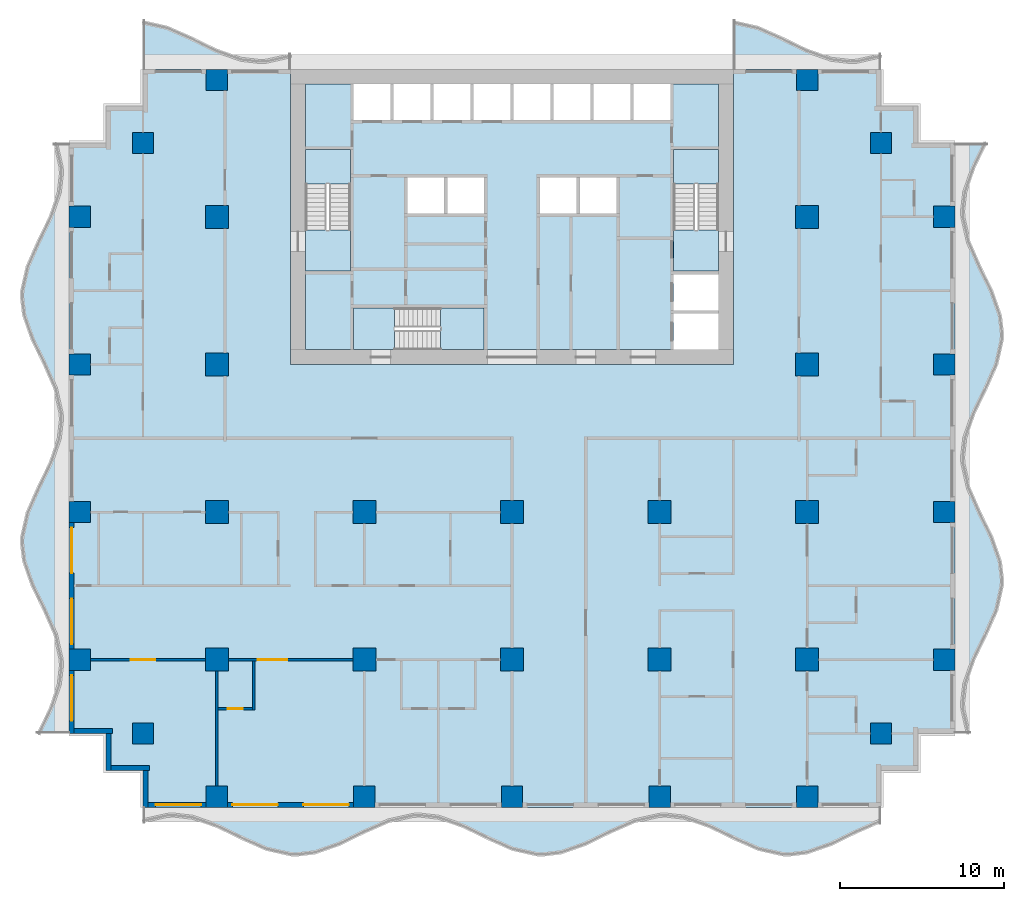
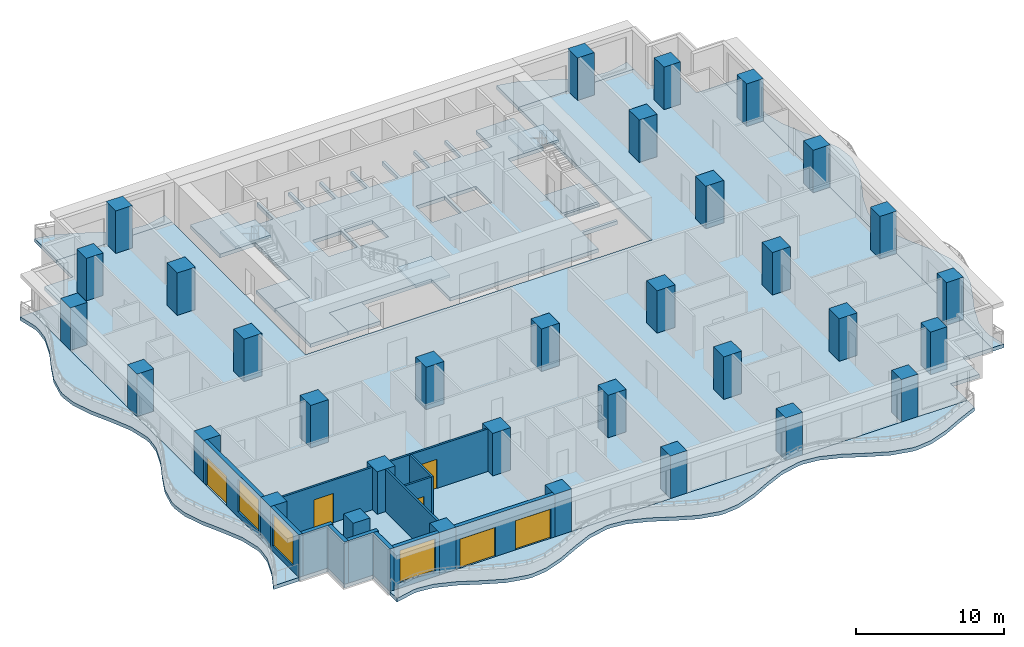
# One storey, part 1 of 13: 33 columns, 13 slabs, 13 walls, 6 doors, 3 windows, 9 openings, 3 elements without a shape of their own.
"""IFC4 building model written with IfcOpenShell, lengths in metres."""

from ifc_helpers import new_model, si_unit, direction, frame, frame_2d, origin, origin_2d, place, context, subcontext, project, spatial, polyline, rectangle, outline, extrude, material, layer, layer_set, material_profile, profile_set, type_object, element, fill, aggregate, save


model = new_model("IFC4")

# Units and contexts
model_context = context("Model", 3, precision=1e-05, world=origin(), true_north=direction((0.0, 1.0)))
body_context = subcontext(model_context, "Body", "Model", "MODEL_VIEW")
ifc_project = project(units=[si_unit("LENGTHUNIT", "METRE"), si_unit("AREAUNIT", "SQUARE_METRE"), si_unit("VOLUMEUNIT", "CUBIC_METRE"), si_unit("PLANEANGLEUNIT", "RADIAN"), si_unit("MASSUNIT", "GRAM", prefix="KILO")], contexts=[model_context])

# Site, building, storey
site_placement = place(None, origin())
site = spatial("IfcSite", under=ifc_project, at=site_placement, CompositionType="ELEMENT")
building_placement = place(site_placement, origin())
building = spatial("IfcBuilding", under=site, at=building_placement, Name="Orbiselva Terraces", CompositionType="ELEMENT")
storey_placement = place(building_placement, frame((0.0, 0.0, 96.0)))
storey = spatial("IfcBuildingStorey", under=building, at=storey_placement, Name="L24", CompositionType="ELEMENT", Elevation=96.0)

# Columns
ifc_material_1 = material(Name="Concrete C70/85", Category="concrete")
ifc_material_profile_1 = material_profile(ifc_material_1, rectangle(XDim=1.4, YDim=1.4, at=origin_2d()), Name="RC 1400x1400")
ifc_profile_set_1 = profile_set([ifc_material_profile_1], Name="Concrete C70/85")
column_type_1 = type_object("IfcColumnType", Name="COLUMN RC 1400x1400", PredefinedType="COLUMN", material=ifc_profile_set_1)
for number, where, z_axis, x_axis, name in (
    (1, (-18.0, -13.5, 0.0), (0.0, 0.0, 1.0), (1.0, 0.0, 0.0), "Column L24-01"),
    (2, (-18.0, -4.5, 0.0), (0.0, 0.0, 1.0), (1.0, 0.0, 0.0), "Column L24-03"),
    (3, (-18.0, 13.5, 0.0), (0.0, 0.0, 1.0), (1.0, 0.0, 0.0), "Column L24-04"),
    (4, (-18.0, 4.5, 0.0), (0.0, 0.0, 1.0), (1.0, 0.0, 0.0), "Column L24-06"),
    (5, (-9.0, -13.5, 0.0), (0.0, 0.0, 1.0), (1.0, 0.0, 0.0), "Column L24-13"),
    (6, (-9.0, -4.5, 0.0), (0.0, 0.0, 1.0), (1.0, 0.0, 0.0), "Column L24-15"),
    (7, (0.0, -13.5, 0.0), (0.0, 0.0, 1.0), (1.0, 0.0, 0.0), "Column L24-16"),
    (8, (0.0, -4.5, 0.0), (0.0, 0.0, 1.0), (1.0, 0.0, 0.0), "Column L24-18"),
    (9, (18.0, -13.5, 0.0), (0.0, 0.0, 1.0), (1.0, 0.0, 0.0), "Column L24-19"),
    (10, (18.0, -4.5, 0.0), (0.0, 0.0, 1.0), (1.0, 0.0, 0.0), "Column L24-21"),
    (11, (18.0, 13.5, 0.0), (0.0, 0.0, 1.0), (1.0, 0.0, 0.0), "Column L24-22"),
    (12, (18.0, 4.5, 0.0), (0.0, 0.0, 1.0), (1.0, 0.0, 0.0), "Column L24-24"),
    (13, (9.0, -13.5, 0.0), (0.0, 0.0, 1.0), (1.0, 0.0, 0.0), "Column L24-31"),
    (14, (9.0, -4.5, 0.0), (0.0, 0.0, 1.0), (1.0, 0.0, 0.0), "Column L24-33"),
):
    element("IfcColumn", number, at=place(storey_placement, frame(where, z_axis=z_axis, x_axis=x_axis)), inside=storey, type_object=column_type_1, Name=name, PredefinedType="COLUMN", context=body_context, shape_type="SweptSolid", body=[
        extrude(rectangle(XDim=1.4, YDim=1.4, at=origin_2d()), origin(), (0.0, 0.0, 1.0), 3.5),
    ])
ifc_material_profile_2 = material_profile(ifc_material_1, rectangle(XDim=1.3, YDim=1.3, at=origin_2d()), Name="RC 1300x1300")
ifc_profile_set_2 = profile_set([ifc_material_profile_2], Name="Concrete C70/85")
column_type_2 = type_object("IfcColumnType", Name="PERIMETER COLUMN RC 1300x1300", PredefinedType="COLUMN", material=ifc_profile_set_2)
for number, where, z_axis, x_axis, name in (
    (15, (-18.0, -21.85, 0.0), (0.0, 0.0, 1.0), (1.0, 0.0, 0.0), "Column L24-02"),
    (16, (-18.0, 21.85, 0.0), (0.0, 0.0, 1.0), (1.0, 0.0, 0.0), "Column L24-05"),
    (17, (-26.35, -13.5, 0.0), (0.0, 0.0, 1.0), (1.0, 0.0, 0.0), "Column L24-07"),
    (18, (-22.5, -18.0, 0.0), (0.0, 0.0, 1.0), (1.0, 0.0, 0.0), "Column L24-08"),
    (19, (-26.35, -4.5, 0.0), (0.0, 0.0, 1.0), (1.0, 0.0, 0.0), "Column L24-09"),
    (20, (-26.35, 13.5, 0.0), (0.0, 0.0, 1.0), (1.0, 0.0, 0.0), "Column L24-10"),
    (21, (-22.5, 18.0, 0.0), (0.0, 0.0, 1.0), (1.0, 0.0, 0.0), "Column L24-11"),
    (22, (-26.35, 4.5, 0.0), (0.0, 0.0, 1.0), (1.0, 0.0, 0.0), "Column L24-12"),
    (23, (-9.0, -21.85, 0.0), (0.0, 0.0, 1.0), (1.0, 0.0, 0.0), "Column L24-14"),
    (24, (0.0, -21.85, 0.0), (0.0, 0.0, 1.0), (1.0, 0.0, 0.0), "Column L24-17"),
    (25, (18.0, -21.85, 0.0), (0.0, 0.0, 1.0), (1.0, 0.0, 0.0), "Column L24-20"),
    (26, (18.0, 21.85, 0.0), (0.0, 0.0, 1.0), (1.0, 0.0, 0.0), "Column L24-23"),
    (27, (26.35, -13.5, 0.0), (0.0, 0.0, 1.0), (1.0, 0.0, 0.0), "Column L24-25"),
    (28, (22.5, -18.0, 0.0), (0.0, 0.0, 1.0), (1.0, 0.0, 0.0), "Column L24-26"),
    (29, (26.35, -4.5, 0.0), (0.0, 0.0, 1.0), (1.0, 0.0, 0.0), "Column L24-27"),
    (30, (26.35, 13.5, 0.0), (0.0, 0.0, 1.0), (1.0, 0.0, 0.0), "Column L24-28"),
    (31, (22.5, 18.0, 0.0), (0.0, 0.0, 1.0), (1.0, 0.0, 0.0), "Column L24-29"),
    (32, (26.35, 4.5, 0.0), (0.0, 0.0, 1.0), (1.0, 0.0, 0.0), "Column L24-30"),
    (33, (9.0, -21.85, 0.0), (0.0, 0.0, 1.0), (1.0, 0.0, 0.0), "Column L24-32"),
):
    element("IfcColumn", number, at=place(storey_placement, frame(where, z_axis=z_axis, x_axis=x_axis)), inside=storey, type_object=column_type_2, Name=name, PredefinedType="COLUMN", context=body_context, shape_type="SweptSolid", body=[
        extrude(rectangle(XDim=1.3, YDim=1.3, at=origin_2d()), origin(), (0.0, 0.0, 1.0), 3.5),
    ])

# Slabs
ifc_material_2 = material(Name="Concrete C40/50", Category="concrete")
ifc_layer_1 = layer(ifc_material_2, 0.3)
ifc_layer_set_1 = layer_set([ifc_layer_1], Name="Concrete C40/50")
slab_type_1 = type_object("IfcSlabType", Name="CORE-SLAB-FLOOR-300", PredefinedType="FLOOR", material=ifc_layer_set_1)
slab_1_placement = place(storey_placement, frame((0.0, 0.0, -0.3)))
element("IfcSlab", 34, at=slab_1_placement, inside=storey, type_object=slab_type_1, Name="L24 S1 floor landing", PredefinedType="FLOOR", context=body_context, shape_type="SweptSolid", body=[
    extrude(outline(polyline([(-12.6, 12.7), (-9.85, 12.7), (-9.85, 10.2), (-12.6, 10.2), (-12.6, 12.7)])), origin(), (0.0, 0.0, 1.0), 0.3),
])
slab_2_placement = place(storey_placement, frame((0.0, 0.0, -0.3)))
element("IfcSlab", 35, at=slab_2_placement, inside=storey, type_object=slab_type_1, Name="L24 S2 floor landing", PredefinedType="FLOOR", context=body_context, shape_type="SweptSolid", body=[
    extrude(outline(polyline([(12.6, 12.7), (12.6, 10.2), (9.85, 10.2), (9.85, 12.7), (12.6, 12.7)])), origin(), (0.0, 0.0, 1.0), 0.3),
])
slab_3_placement = place(storey_placement, frame((0.0, 0.0, -0.3)))
element("IfcSlab", 36, at=slab_3_placement, inside=storey, type_object=slab_type_1, Name="L24 S3 floor landing", PredefinedType="FLOOR", context=body_context, shape_type="SweptSolid", body=[
    extrude(outline(polyline([(-7.15, 5.4), (-9.65, 5.4), (-9.65, 7.95), (-7.15, 7.95), (-7.15, 5.4)])), origin(), (0.0, 0.0, 1.0), 0.3),
])
slab_4_placement = place(storey_placement, frame((0.0, 0.0, -0.3)))
element("IfcSlab", 37, at=slab_4_placement, inside=storey, type_object=slab_type_1, Name="L24 core floor slab 1", PredefinedType="FLOOR", context=body_context, shape_type="SweptSolid", body=[
    extrude(outline(polyline([(-1.7, 5.4), (-1.7, 7.95), (-9.65, 7.95), (-9.65, 5.4), (-12.6, 5.4), (-12.6, 10.2), (-9.85, 10.2), (-9.85, 17.6), (-12.6, 17.6), (-12.6, 21.6), (-9.65, 21.6), (-9.65, 19.4), (-7.4125, 19.4), (-7.4125, 21.6), (-7.2125, 21.6), (-7.2125, 19.4), (-4.975, 19.4), (-4.975, 21.6), (-4.775, 21.6), (-4.775, 19.4), (-2.5375, 19.4), (-2.5375, 21.6), (-2.3375, 21.6), (-2.3375, 19.4), (-0.1, 19.4), (-0.1, 21.6), (0.1, 21.6), (0.1, 19.4), (2.3375, 19.4), (2.3375, 21.6), (2.5375, 21.6), (2.5375, 19.4), (4.775, 19.4), (4.775, 21.6), (4.975, 21.6), (4.975, 19.4), (7.2125, 19.4), (7.2125, 21.6), (7.4125, 21.6), (7.4125, 19.4), (9.65, 19.4), (9.65, 21.6), (12.6, 21.6), (12.6, 17.6), (9.85, 17.6), (9.85, 10.2), (12.6, 10.2), (12.6, 10.0), (9.85, 10.0), (9.85, 7.8), (12.6, 7.8), (12.6, 7.6), (9.85, 7.6), (9.85, 5.4), (-1.7, 5.4)]), holes=[polyline([(-4.1375, 13.7), (-4.1375, 15.9), (-6.375, 15.9), (-6.375, 13.7), (-4.1375, 13.7)]), polyline([(-1.7, 13.7), (-1.7, 15.9), (-3.9375, 15.9), (-3.9375, 13.7), (-1.7, 13.7)]), polyline([(3.9375, 13.7), (3.9375, 15.9), (1.7, 15.9), (1.7, 13.7), (3.9375, 13.7)]), polyline([(6.375, 13.7), (6.375, 15.9), (4.1375, 15.9), (4.1375, 13.7), (6.375, 13.7)])]), origin(), (0.0, 0.0, 1.0), 0.3),
])

# Stair, slab
stair_type_1 = type_object("IfcStairType", Name="CORE-STAIR-1300", PredefinedType="HALF_TURN_STAIR", material=ifc_material_2)
stair_1_placement = place(storey_placement, origin())
stair_1 = element("IfcStair", 38, at=stair_1_placement, inside=storey, type_object=stair_type_1, Name="L24 Exit Stair S1", PredefinedType="HALF_TURN_STAIR")
ifc_layer_2 = layer(ifc_material_2, 0.2)
ifc_layer_set_2 = layer_set([ifc_layer_2], Name="Concrete C40/50")
slab_type_2 = type_object("IfcSlabType", Name="CORE-STAIR-LANDING-200", PredefinedType="LANDING", material=ifc_layer_set_2)
slab_5_placement = place(storey_placement, frame((0.0, 0.0, 1.7)))
slab_5 = element("IfcSlab", 39, at=slab_5_placement, type_object=slab_type_2, Name="S1 landing 1", PredefinedType="LANDING", context=body_context, shape_type="SweptSolid", body=[
    extrude(outline(polyline([(-9.85, 15.5), (-9.85, 17.6), (-12.6, 17.6), (-12.6, 15.5), (-9.85, 15.5)])), origin(), (0.0, 0.0, 1.0), 0.2),
])
aggregate(stair_1, [slab_5])

stair_2_placement = place(storey_placement, origin())
stair_2 = element("IfcStair", 40, at=stair_2_placement, inside=storey, type_object=stair_type_1, Name="L24 Exit Stair S2", PredefinedType="HALF_TURN_STAIR")
slab_6_placement = place(storey_placement, frame((0.0, 0.0, 1.7)))
slab_6 = element("IfcSlab", 41, at=slab_6_placement, type_object=slab_type_2, Name="S2 landing 1", PredefinedType="LANDING", context=body_context, shape_type="SweptSolid", body=[
    extrude(outline(polyline([(12.6, 15.5), (12.6, 17.6), (9.85, 17.6), (9.85, 15.5), (12.6, 15.5)])), origin(), (0.0, 0.0, 1.0), 0.2),
])
aggregate(stair_2, [slab_6])

stair_type_2 = type_object("IfcStairType", Name="CORE-STAIR-1200", PredefinedType="HALF_TURN_STAIR", material=ifc_material_2)
stair_3_placement = place(storey_placement, origin())
stair_3 = element("IfcStair", 42, at=stair_3_placement, inside=storey, type_object=stair_type_2, Name="L24 Exit Stair S3", PredefinedType="HALF_TURN_STAIR")
slab_7_placement = place(storey_placement, frame((0.0, 0.0, 1.7)))
slab_7 = element("IfcSlab", 43, at=slab_7_placement, type_object=slab_type_2, Name="S3 landing 1", PredefinedType="LANDING", context=body_context, shape_type="SweptSolid", body=[
    extrude(outline(polyline([(-4.35, 5.4), (-1.7, 5.4), (-1.7, 7.95), (-4.35, 7.95), (-4.35, 5.4)])), origin(), (0.0, 0.0, 1.0), 0.2),
])
aggregate(stair_3, [slab_7])

# Slabs
ifc_material_3 = material(Name="Concrete C50/60", Category="concrete")
ifc_layer_3 = layer(ifc_material_3, 0.3)
ifc_layer_set_3 = layer_set([ifc_layer_3], Name="Concrete C50/60")
slab_type_3 = type_object("IfcSlabType", Name="ENV-BALCONY-SLAB-300", PredefinedType="FLOOR", material=ifc_layer_set_3)
slab_8_placement = place(storey_placement, frame((0.0, 0.0, -0.3)))
element("IfcSlab", 44, at=slab_8_placement, inside=storey, type_object=slab_type_3, Name="Balcony slab L24 S", PredefinedType="FLOOR", context=body_context, shape_type="SweptSolid", body=[
    extrude(outline(polyline([(-22.5, -23.451472), (-21.0, -23.114774), (-20.625, -23.1), (-19.5, -23.230792), (-18.0, -23.755211), (-16.5, -24.487721), (-15.0, -25.148528), (-13.5, -25.485226), (-13.125, -25.5), (-12.0, -25.369208), (-10.5, -24.844789), (-9.0, -24.112279), (-7.5, -23.451472), (-6.0, -23.114774), (-5.625, -23.1), (-4.5, -23.230792), (-3.0, -23.755211), (-1.5, -24.487721), (0.0, -25.148528), (1.5, -25.485226), (1.875, -25.5), (3.0, -25.369208), (4.5, -24.844789), (6.0, -24.112279), (7.5, -23.451472), (9.0, -23.114774), (9.375, -23.1), (10.5, -23.230792), (12.0, -23.755211), (13.5, -24.487721), (15.0, -25.148528), (16.5, -25.485226), (16.875, -25.5), (18.0, -25.369208), (19.5, -24.844789), (21.0, -24.112279), (22.5, -23.451472), (22.5, -22.5), (-22.5, -22.5), (-22.5, -23.451472)])), origin(), (0.0, 0.0, 1.0), 0.3),
])
slab_9_placement = place(storey_placement, frame((0.0, 0.0, -0.3)))
element("IfcSlab", 45, at=slab_9_placement, inside=storey, type_object=slab_type_3, Name="Balcony slab L24 E", PredefinedType="FLOOR", context=body_context, shape_type="SweptSolid", body=[
    extrude(outline(polyline([(27.951472, -18.0), (27.614774, -16.5), (27.6, -16.125), (27.730792, -15.0), (28.255211, -13.5), (28.987721, -12.0), (29.648528, -10.5), (29.985226, -9.0), (30.0, -8.625), (29.869208, -7.5), (29.344789, -6.0), (28.612279, -4.5), (27.951472, -3.0), (27.614774, -1.5), (27.6, -1.125), (27.730792, 0.0), (28.255211, 1.5), (28.987721, 3.0), (29.648528, 4.5), (29.985226, 6.0), (30.0, 6.375), (29.869208, 7.5), (29.344789, 9.0), (28.612279, 10.5), (27.951472, 12.0), (27.614774, 13.5), (27.6, 13.875), (27.730792, 15.0), (28.255211, 16.5), (28.987721, 18.0), (27.0, 18.0), (27.0, -18.0), (27.951472, -18.0)])), origin(), (0.0, 0.0, 1.0), 0.3),
])
slab_10_placement = place(storey_placement, frame((0.0, 0.0, -0.3)))
element("IfcSlab", 46, at=slab_10_placement, inside=storey, type_object=slab_type_3, Name="Balcony slab L24 NE", PredefinedType="FLOOR", context=body_context, shape_type="SweptSolid", body=[
    extrude(outline(polyline([(22.5, 23.451472), (21.0, 23.114774), (20.625, 23.1), (19.5, 23.230792), (18.0, 23.755211), (16.5, 24.487721), (15.0, 25.148528), (13.5, 25.485226), (13.5, 22.5), (22.5, 22.5), (22.5, 23.451472)])), origin(), (0.0, 0.0, 1.0), 0.3),
])
slab_11_placement = place(storey_placement, frame((0.0, 0.0, -0.3)))
element("IfcSlab", 47, at=slab_11_placement, inside=storey, type_object=slab_type_3, Name="Balcony slab L24 NW", PredefinedType="FLOOR", context=body_context, shape_type="SweptSolid", body=[
    extrude(outline(polyline([(-13.5, 23.451472), (-15.0, 23.114774), (-15.375, 23.1), (-16.5, 23.230792), (-18.0, 23.755211), (-19.5, 24.487721), (-21.0, 25.148528), (-22.5, 25.485226), (-22.5, 22.5), (-13.5, 22.5), (-13.5, 23.451472)])), origin(), (0.0, 0.0, 1.0), 0.3),
])
slab_12_placement = place(storey_placement, frame((0.0, 0.0, -0.3)))
element("IfcSlab", 48, at=slab_12_placement, inside=storey, type_object=slab_type_3, Name="Balcony slab L24 W", PredefinedType="FLOOR", context=body_context, shape_type="SweptSolid", body=[
    extrude(outline(polyline([(-27.951472, 18.0), (-27.614774, 16.5), (-27.6, 16.125), (-27.730792, 15.0), (-28.255211, 13.5), (-28.987721, 12.0), (-29.648528, 10.5), (-29.985226, 9.0), (-30.0, 8.625), (-29.869208, 7.5), (-29.344789, 6.0), (-28.612279, 4.5), (-27.951472, 3.0), (-27.614774, 1.5), (-27.6, 1.125), (-27.730792, 0.0), (-28.255211, -1.5), (-28.987721, -3.0), (-29.648528, -4.5), (-29.985226, -6.0), (-30.0, -6.375), (-29.869208, -7.5), (-29.344789, -9.0), (-28.612279, -10.5), (-27.951472, -12.0), (-27.614774, -13.5), (-27.6, -13.875), (-27.730792, -15.0), (-28.255211, -16.5), (-28.987721, -18.0), (-27.0, -18.0), (-27.0, 18.0), (-27.951472, 18.0)])), origin(), (0.0, 0.0, 1.0), 0.3),
])
ifc_layer_4 = layer(ifc_material_3, 0.3)
ifc_layer_set_4 = layer_set([ifc_layer_4], Name="Concrete C50/60")
slab_type_4 = type_object("IfcSlabType", Name="FLOOR SLAB 300", PredefinedType="FLOOR", material=ifc_layer_set_4)
slab_13_placement = place(storey_placement, frame((0.0, 0.0, -0.3)))
element("IfcSlab", 49, at=slab_13_placement, inside=storey, type_object=slab_type_4, Name="Floor slab L24", PredefinedType="FLOOR", context=body_context, shape_type="SweptSolid", body=[
    extrude(outline(polyline([(22.5, 22.5), (22.5, 20.25), (24.75, 20.25), (24.75, 18.0), (27.0, 18.0), (27.0, -18.0), (24.75, -18.0), (24.75, -20.25), (22.5, -20.25), (22.5, -22.5), (-22.5, -22.5), (-22.5, -20.25), (-24.75, -20.25), (-24.75, -18.0), (-27.0, -18.0), (-27.0, 18.0), (-24.75, 18.0), (-24.75, 20.25), (-22.5, 20.25), (-22.5, 22.5), (-13.5, 22.5), (-13.5, 4.5), (13.5, 4.5), (13.5, 22.5), (22.5, 22.5)])), origin(), (0.0, 0.0, 1.0), 0.3),
])

# Wall, opening, window
ifc_material_4 = material(Name="Terracotta cladding on masonry backing", Category="masonry")
ifc_layer_5 = layer(ifc_material_4, 0.3)
ifc_layer_set_5 = layer_set([ifc_layer_5], Name="Terracotta cladding on masonry backing")
wall_type_1 = type_object("IfcWallType", Name="ENV-WALL-TERRACOTTA-300", PredefinedType="SOLIDWALL", material=ifc_layer_set_5)
wall_1_placement = place(storey_placement, frame((-18.65, -22.35, 0.0), z_axis=(0.0, 0.0, 1.0), x_axis=(-1.0, 0.0, 0.0)))
wall_1 = element("IfcWall", 50, at=wall_1_placement, inside=storey, type_object=wall_type_1, Name="Facade wall L24 S", PredefinedType="SOLIDWALL", context=body_context, shape_type="SweptSolid", body=[
    extrude(rectangle(XDim=3.55, YDim=0.3, at=frame_2d((1.775, 0.0))), origin(), (0.0, 0.0, 1.0), 3.5),
])
opening_1_placement = place(wall_1_placement, frame((0.3, 0.0, 0.45)))
opening_1 = element("IfcOpeningElement", 51, at=opening_1_placement, cuts=wall_1, Name="Opening WN6", PredefinedType="OPENING", context=body_context, shape_type="SweptSolid", body=[
    extrude(rectangle(XDim=2.775, YDim=2.65, at=frame_2d((1.3875, 1.325))), frame((0.0, 0.16, 0.0), z_axis=(0.0, -1.0, 0.0), x_axis=(1.0, 0.0, 0.0)), (0.0, 0.0, 1.0), 0.32),
])
ifc_material_5 = material(Name="Clear low-e glazing in aluminium frame", Category="aluminium")
window_type = type_object("IfcWindowType", Name="WINDOW 2775 X 2650 S450", PartitioningType="TRIPLE_PANEL_VERTICAL", PredefinedType="WINDOW", material=ifc_material_5)
window_1_placement = place(opening_1_placement, origin())
window_1 = element("IfcWindow", 52, at=window_1_placement, inside=storey, type_object=window_type, Name="Window L24 S", OverallHeight=2.65, OverallWidth=2.775, PartitioningType="SINGLE_PANEL", PredefinedType="WINDOW", context=body_context, shape_type="SweptSolid", body=[
    extrude(rectangle(XDim=2.775, YDim=2.65, at=frame_2d((1.3875, 1.325))), frame((0.0, 0.03, 0.0), z_axis=(0.0, -1.0, 0.0), x_axis=(1.0, 0.0, 0.0)), (0.0, 0.0, 1.0), 0.06),
])
fill(opening_1, window_1)

# Wall, openings, doors
wall_2_placement = place(storey_placement, frame((-9.65, -22.35, 0.0), z_axis=(0.0, 0.0, 1.0), x_axis=(-1.0, 0.0, 0.0)))
wall_2 = element("IfcWall", 53, at=wall_2_placement, inside=storey, type_object=wall_type_1, Name="Facade wall L24 S", PredefinedType="SOLIDWALL", context=body_context, shape_type="SweptSolid", body=[
    extrude(rectangle(XDim=7.7, YDim=0.3, at=frame_2d((3.85, 0.0))), origin(), (0.0, 0.0, 1.0), 3.5),
])
opening_2_placement = place(wall_2_placement, frame((4.625, 0.0, 0.0)))
opening_2 = element("IfcOpeningElement", 54, at=opening_2_placement, cuts=wall_2, Name="Opening Z2-C-E10", PredefinedType="OPENING", context=body_context, shape_type="SweptSolid", body=[
    extrude(rectangle(XDim=2.775, YDim=2.4, at=frame_2d((1.3875, 1.2))), frame((0.0, 0.16, 0.0), z_axis=(0.0, -1.0, 0.0), x_axis=(1.0, 0.0, 0.0)), (0.0, 0.0, 1.0), 0.32),
])
opening_3_placement = place(wall_2_placement, frame((0.3, 0.0, 0.0)))
opening_3 = element("IfcOpeningElement", 55, at=opening_3_placement, cuts=wall_2, Name="Opening Z2-C-E01", PredefinedType="OPENING", context=body_context, shape_type="SweptSolid", body=[
    extrude(rectangle(XDim=2.775, YDim=2.4, at=frame_2d((1.3875, 1.2))), frame((0.0, 0.16, 0.0), z_axis=(0.0, -1.0, 0.0), x_axis=(1.0, 0.0, 0.0)), (0.0, 0.0, 1.0), 0.32),
])
door_type_1 = type_object("IfcDoorType", Name="BALCONY DOOR 2775 X 2400", OperationType="DOUBLE_DOOR_SLIDING", PredefinedType="DOOR", material=ifc_material_5)
door_1_placement = place(opening_2_placement, origin())
door_1 = element("IfcDoor", 56, at=door_1_placement, inside=storey, type_object=door_type_1, Name="Z2-C-E10", OperationType="SINGLE_SWING_LEFT", OverallHeight=2.4, OverallWidth=2.775, PredefinedType="DOOR", context=body_context, shape_type="SweptSolid", body=[
    extrude(rectangle(XDim=2.775, YDim=2.4, at=frame_2d((1.3875, 1.2))), frame((0.0, 0.025, 0.0), z_axis=(0.0, -1.0, 0.0), x_axis=(1.0, 0.0, 0.0)), (0.0, 0.0, 1.0), 0.05),
])
fill(opening_2, door_1)
door_2_placement = place(opening_3_placement, origin())
door_2 = element("IfcDoor", 57, at=door_2_placement, inside=storey, type_object=door_type_1, Name="Z2-C-E01", OperationType="SINGLE_SWING_LEFT", OverallHeight=2.4, OverallWidth=2.775, PredefinedType="DOOR", context=body_context, shape_type="SweptSolid", body=[
    extrude(rectangle(XDim=2.775, YDim=2.4, at=frame_2d((1.3875, 1.2))), frame((0.0, 0.025, 0.0), z_axis=(0.0, -1.0, 0.0), x_axis=(1.0, 0.0, 0.0)), (0.0, 0.0, 1.0), 0.05),
])
fill(opening_3, door_2)

# Wall, openings, door, window
wall_3_placement = place(storey_placement, frame((-26.85, -12.85, 0.0), z_axis=(0.0, 0.0, 1.0), x_axis=(0.0, 1.0, 0.0)))
wall_3 = element("IfcWall", 58, at=wall_3_placement, inside=storey, type_object=wall_type_1, Name="Facade wall L24 W", PredefinedType="SOLIDWALL", context=body_context, shape_type="SweptSolid", body=[
    extrude(rectangle(XDim=7.7, YDim=0.3, at=frame_2d((3.85, 0.0))), origin(), (0.0, 0.0, 1.0), 3.5),
])
opening_4_placement = place(wall_3_placement, frame((4.625, 0.0, 0.0)))
opening_4 = element("IfcOpeningElement", 59, at=opening_4_placement, cuts=wall_3, Name="Opening Z2-C-E09", PredefinedType="OPENING", context=body_context, shape_type="SweptSolid", body=[
    extrude(rectangle(XDim=2.775, YDim=2.4, at=frame_2d((1.3875, 1.2))), frame((0.0, 0.16, 0.0), z_axis=(0.0, -1.0, 0.0), x_axis=(1.0, 0.0, 0.0)), (0.0, 0.0, 1.0), 0.32),
])
opening_5_placement = place(wall_3_placement, frame((0.3, 0.0, 0.45)))
opening_5 = element("IfcOpeningElement", 60, at=opening_5_placement, cuts=wall_3, Name="Opening WN6", PredefinedType="OPENING", context=body_context, shape_type="SweptSolid", body=[
    extrude(rectangle(XDim=2.775, YDim=2.65, at=frame_2d((1.3875, 1.325))), frame((0.0, 0.16, 0.0), z_axis=(0.0, -1.0, 0.0), x_axis=(1.0, 0.0, 0.0)), (0.0, 0.0, 1.0), 0.32),
])
door_3_placement = place(opening_4_placement, origin())
door_3 = element("IfcDoor", 61, at=door_3_placement, inside=storey, type_object=door_type_1, Name="Z2-C-E09", OperationType="SINGLE_SWING_LEFT", OverallHeight=2.4, OverallWidth=2.775, PredefinedType="DOOR", context=body_context, shape_type="SweptSolid", body=[
    extrude(rectangle(XDim=2.775, YDim=2.4, at=frame_2d((1.3875, 1.2))), frame((0.0, 0.025, 0.0), z_axis=(0.0, -1.0, 0.0), x_axis=(1.0, 0.0, 0.0)), (0.0, 0.0, 1.0), 0.05),
])
fill(opening_4, door_3)
window_2_placement = place(opening_5_placement, origin())
window_2 = element("IfcWindow", 62, at=window_2_placement, inside=storey, type_object=window_type, Name="Window L24 W", OverallHeight=2.65, OverallWidth=2.775, PartitioningType="SINGLE_PANEL", PredefinedType="WINDOW", context=body_context, shape_type="SweptSolid", body=[
    extrude(rectangle(XDim=2.775, YDim=2.65, at=frame_2d((1.3875, 1.325))), frame((0.0, 0.03, 0.0), z_axis=(0.0, -1.0, 0.0), x_axis=(1.0, 0.0, 0.0)), (0.0, 0.0, 1.0), 0.06),
])
fill(opening_5, window_2)

# Wall, opening, window
wall_4_placement = place(storey_placement, frame((-26.85, -18.0, 0.0), z_axis=(0.0, 0.0, 1.0), x_axis=(0.0, 1.0, 0.0)))
wall_4 = element("IfcWall", 63, at=wall_4_placement, inside=storey, type_object=wall_type_1, Name="Facade wall L24 W", PredefinedType="SOLIDWALL", context=body_context, shape_type="SweptSolid", body=[
    extrude(rectangle(XDim=3.85, YDim=0.3, at=frame_2d((1.925, 0.0))), origin(), (0.0, 0.0, 1.0), 3.5),
])
opening_6_placement = place(wall_4_placement, frame((0.775, 0.0, 0.45)))
opening_6 = element("IfcOpeningElement", 64, at=opening_6_placement, cuts=wall_4, Name="Opening WN6", PredefinedType="OPENING", context=body_context, shape_type="SweptSolid", body=[
    extrude(rectangle(XDim=2.775, YDim=2.65, at=frame_2d((1.3875, 1.325))), frame((0.0, 0.16, 0.0), z_axis=(0.0, -1.0, 0.0), x_axis=(1.0, 0.0, 0.0)), (0.0, 0.0, 1.0), 0.32),
])
window_3_placement = place(opening_6_placement, origin())
window_3 = element("IfcWindow", 65, at=window_3_placement, inside=storey, type_object=window_type, Name="Window L24 W", OverallHeight=2.65, OverallWidth=2.775, PartitioningType="SINGLE_PANEL", PredefinedType="WINDOW", context=body_context, shape_type="SweptSolid", body=[
    extrude(rectangle(XDim=2.775, YDim=2.65, at=frame_2d((1.3875, 1.325))), frame((0.0, 0.03, 0.0), z_axis=(0.0, -1.0, 0.0), x_axis=(1.0, 0.0, 0.0)), (0.0, 0.0, 1.0), 0.06),
])
fill(opening_6, window_3)

# Walls
wall_5_placement = place(storey_placement, frame((-24.35, -17.85, 0.0), z_axis=(0.0, 0.0, 1.0), x_axis=(-1.0, 0.0, 0.0)))
element("IfcWall", 66, at=wall_5_placement, inside=storey, type_object=wall_type_1, Name="Facade wall L24 STEP", PredefinedType="SOLIDWALL", context=body_context, shape_type="SweptSolid", body=[
    extrude(rectangle(XDim=2.35, YDim=0.3, at=frame_2d((1.175, 0.0))), origin(), (0.0, 0.0, 1.0), 3.5),
])
wall_6_placement = place(storey_placement, frame((-24.6, -20.25, 0.0), z_axis=(0.0, 0.0, 1.0), x_axis=(0.0, 1.0, 0.0)))
element("IfcWall", 67, at=wall_6_placement, inside=storey, type_object=wall_type_1, Name="Facade wall L24 STEP", PredefinedType="SOLIDWALL", context=body_context, shape_type="SweptSolid", body=[
    extrude(rectangle(XDim=2.25, YDim=0.3, at=frame_2d((1.125, 0.0))), origin(), (0.0, 0.0, 1.0), 3.5),
])
wall_7_placement = place(storey_placement, frame((-22.1, -20.1, 0.0), z_axis=(0.0, 0.0, 1.0), x_axis=(-1.0, 0.0, 0.0)))
element("IfcWall", 68, at=wall_7_placement, inside=storey, type_object=wall_type_1, Name="Facade wall L24 STEP", PredefinedType="SOLIDWALL", context=body_context, shape_type="SweptSolid", body=[
    extrude(rectangle(XDim=2.35, YDim=0.3, at=frame_2d((1.175, 0.0))), origin(), (0.0, 0.0, 1.0), 3.5),
])
wall_8_placement = place(storey_placement, frame((-22.35, -22.5, 0.0), z_axis=(0.0, 0.0, 1.0), x_axis=(0.0, 1.0, 0.0)))
element("IfcWall", 69, at=wall_8_placement, inside=storey, type_object=wall_type_1, Name="Facade wall L24 STEP", PredefinedType="SOLIDWALL", context=body_context, shape_type="SweptSolid", body=[
    extrude(rectangle(XDim=2.25, YDim=0.3, at=frame_2d((1.125, 0.0))), origin(), (0.0, 0.0, 1.0), 3.5),
])

# Wall, opening, door
ifc_material_6 = material(Name="Plasterboard on steel stud partition", Category="steel")
ifc_layer_6 = layer(ifc_material_6, 0.15)
ifc_layer_set_6 = layer_set([ifc_layer_6], Name="Plasterboard on steel stud partition")
wall_type_2 = type_object("IfcWallType", Name="UNIT-PARTITION-150", PredefinedType="PARTITIONING", material=ifc_layer_set_6)
wall_9_placement = place(storey_placement, frame((-17.925, -16.5, 0.0), z_axis=(0.0, 0.0, 1.0), x_axis=(1.0, 0.0, 0.0)))
wall_9 = element("IfcWall", 70, at=wall_9_placement, inside=storey, type_object=wall_type_2, Name="PARTITION L24-004", PredefinedType="PARTITIONING", context=body_context, shape_type="SweptSolid", body=[
    extrude(rectangle(XDim=2.1, YDim=0.15, at=frame_2d((1.05, 0.0))), origin(), (0.0, 0.0, 1.0), 3.5),
])
opening_7_placement = place(wall_9_placement, frame((0.6, 0.0, 0.0)))
opening_7 = element("IfcOpeningElement", 71, at=opening_7_placement, cuts=wall_9, Name="Opening Z2-C-23", PredefinedType="OPENING", context=body_context, shape_type="SweptSolid", body=[
    extrude(rectangle(XDim=0.9, YDim=2.1, at=frame_2d((0.45, 1.05))), frame((0.0, 0.085, 0.0), z_axis=(0.0, -1.0, 0.0), x_axis=(1.0, 0.0, 0.0)), (0.0, 0.0, 1.0), 0.17),
])
ifc_material_7 = material(Name="Painted timber door leaf", Category="wood")
door_type_2 = type_object("IfcDoorType", Name="BATH DOOR 900", OperationType="NOTDEFINED", PredefinedType="DOOR", material=ifc_material_7)
door_4_placement = place(opening_7_placement, origin())
door_4 = element("IfcDoor", 72, at=door_4_placement, inside=storey, type_object=door_type_2, Name="Z2-C-23", OperationType="SINGLE_SWING_LEFT", OverallHeight=2.1, OverallWidth=0.9, PredefinedType="DOOR", context=body_context, shape_type="SweptSolid", body=[
    extrude(rectangle(XDim=0.9, YDim=2.1, at=frame_2d((0.45, 1.05))), frame((0.0, 0.025, 0.0), z_axis=(0.0, -1.0, 0.0), x_axis=(1.0, 0.0, 0.0)), (0.0, 0.0, 1.0), 0.05),
])
fill(opening_7, door_4)

wall_10_placement = place(storey_placement, frame((-18.7, -13.5, 0.0), z_axis=(0.0, 0.0, 1.0), x_axis=(-1.0, 0.0, 0.0)))
wall_10 = element("IfcWall", 73, at=wall_10_placement, inside=storey, type_object=wall_type_2, Name="PARTITION L24-009", PredefinedType="PARTITIONING", context=body_context, shape_type="SweptSolid", body=[
    extrude(rectangle(XDim=7.0, YDim=0.15, at=frame_2d((3.5, 0.0))), origin(), (0.0, 0.0, 1.0), 3.5),
])
opening_8_placement = place(wall_10_placement, frame((3.05, 0.0, 0.0)))
opening_8 = element("IfcOpeningElement", 74, at=opening_8_placement, cuts=wall_10, Name="Opening Z2-C-21", PredefinedType="OPENING", context=body_context, shape_type="SweptSolid", body=[
    extrude(rectangle(XDim=1.5, YDim=2.4, at=frame_2d((0.75, 1.2))), frame((0.0, 0.085, 0.0), z_axis=(0.0, -1.0, 0.0), x_axis=(1.0, 0.0, 0.0)), (0.0, 0.0, 1.0), 0.17),
])
door_type_3 = type_object("IfcDoorType", Name="DOUBLE DOOR 1500", OperationType="NOTDEFINED", PredefinedType="DOOR", material=ifc_material_7)
door_5_placement = place(opening_8_placement, origin())
door_5 = element("IfcDoor", 75, at=door_5_placement, inside=storey, type_object=door_type_3, Name="Z2-C-21", OperationType="DOUBLE_DOOR_SINGLE_SWING", OverallHeight=2.4, OverallWidth=1.5, PredefinedType="DOOR", context=body_context, shape_type="SweptSolid", body=[
    extrude(rectangle(XDim=1.5, YDim=2.4, at=frame_2d((0.75, 1.2))), frame((0.0, 0.025, 0.0), z_axis=(0.0, -1.0, 0.0), x_axis=(1.0, 0.0, 0.0)), (0.0, 0.0, 1.0), 0.05),
])
fill(opening_8, door_5)

wall_11_placement = place(storey_placement, frame((-9.7, -13.5, 0.0), z_axis=(0.0, 0.0, 1.0), x_axis=(-1.0, 0.0, 0.0)))
wall_11 = element("IfcWall", 76, at=wall_11_placement, inside=storey, type_object=wall_type_2, Name="PARTITION L24-010", PredefinedType="PARTITIONING", context=body_context, shape_type="SweptSolid", body=[
    extrude(rectangle(XDim=7.6, YDim=0.15, at=frame_2d((3.8, 0.0))), origin(), (0.0, 0.0, 1.0), 3.5),
])
opening_9_placement = place(wall_11_placement, frame((4.0, 0.0, 0.0)))
opening_9 = element("IfcOpeningElement", 77, at=opening_9_placement, cuts=wall_11, Name="Opening Z2-C-22", PredefinedType="OPENING", context=body_context, shape_type="SweptSolid", body=[
    extrude(rectangle(XDim=1.8, YDim=2.4, at=frame_2d((0.9, 1.2))), frame((0.0, 0.085, 0.0), z_axis=(0.0, -1.0, 0.0), x_axis=(1.0, 0.0, 0.0)), (0.0, 0.0, 1.0), 0.17),
])
door_type_4 = type_object("IfcDoorType", Name="DOUBLE DOOR 1800", OperationType="NOTDEFINED", PredefinedType="DOOR", material=ifc_material_7)
door_6_placement = place(opening_9_placement, origin())
door_6 = element("IfcDoor", 78, at=door_6_placement, inside=storey, type_object=door_type_4, Name="Z2-C-22", OperationType="DOUBLE_DOOR_SINGLE_SWING", OverallHeight=2.4, OverallWidth=1.8, PredefinedType="DOOR", context=body_context, shape_type="SweptSolid", body=[
    extrude(rectangle(XDim=1.8, YDim=2.4, at=frame_2d((0.9, 1.2))), frame((0.0, 0.025, 0.0), z_axis=(0.0, -1.0, 0.0), x_axis=(1.0, 0.0, 0.0)), (0.0, 0.0, 1.0), 0.05),
])
fill(opening_9, door_6)

# Walls
wall_12_placement = place(storey_placement, frame((-18.0, -21.2, 0.0), z_axis=(0.0, 0.0, 1.0), x_axis=(0.0, 1.0, 0.0)))
element("IfcWall", 79, at=wall_12_placement, inside=storey, type_object=wall_type_2, Name="PARTITION L24-043", PredefinedType="PARTITIONING", context=body_context, shape_type="SweptSolid", body=[
    extrude(rectangle(XDim=7.0, YDim=0.15, at=frame_2d((3.5, 0.0))), origin(), (0.0, 0.0, 1.0), 3.5),
])
wall_13_placement = place(storey_placement, frame((-15.75, -16.575, 0.0), z_axis=(0.0, 0.0, 1.0), x_axis=(0.0, 1.0, 0.0)))
element("IfcWall", 80, at=wall_13_placement, inside=storey, type_object=wall_type_2, Name="PARTITION L24-048", PredefinedType="PARTITIONING", context=body_context, shape_type="SweptSolid", body=[
    extrude(rectangle(XDim=3.0, YDim=0.15, at=frame_2d((1.5, 0.0))), origin(), (0.0, 0.0, 1.0), 3.5),
])

save(model, "model.ifc")
